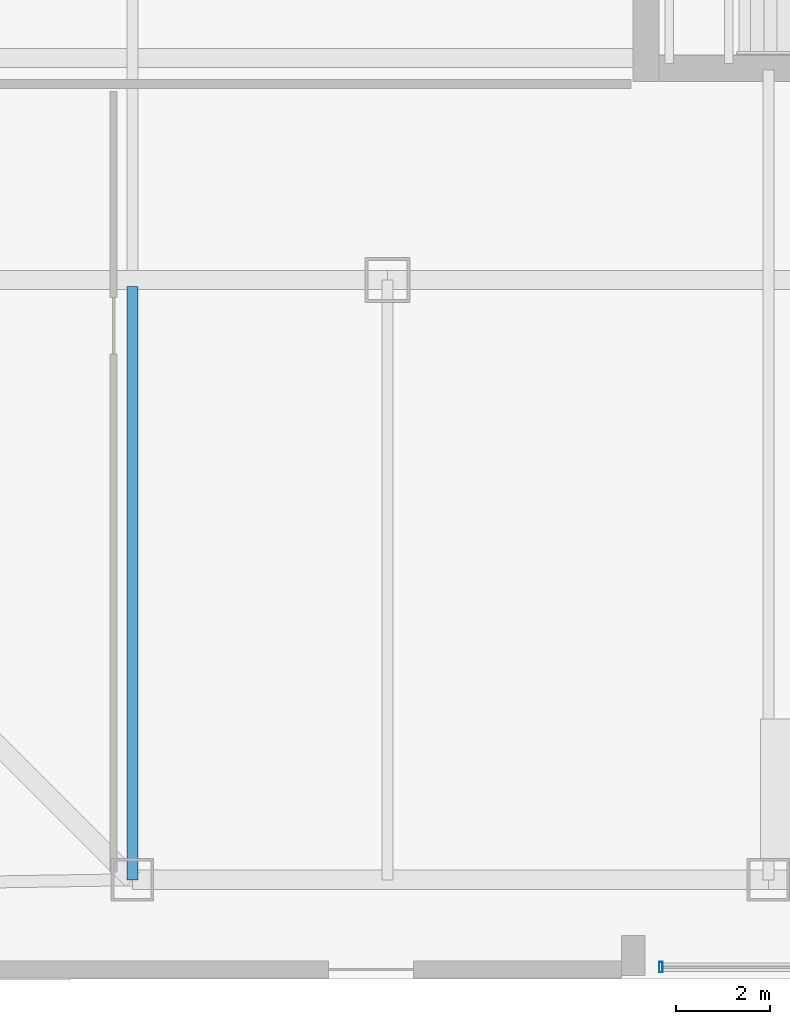
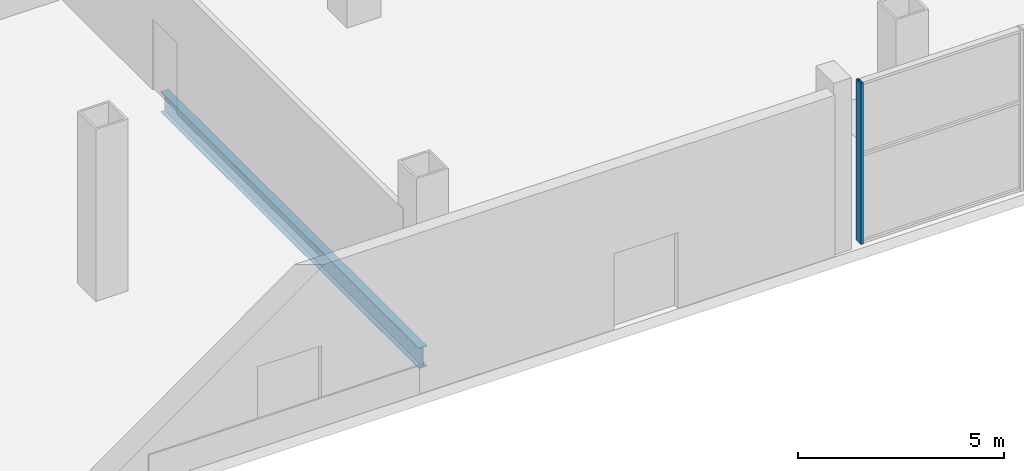
# One storey, part 2 of 21: 1 beam, 1 member, 1 element without a shape of its own.
"""IFC4 building model written with IfcOpenShell, lengths in metres."""

from ifc_helpers import new_model, si_unit, direction, frame, origin, origin_2d, place, context, subcontext, project, spatial, hollow_rectangle, i_section, extrude, material, layer, layer_set, material_profile, profile_set, type_object, element, aggregate, save


model = new_model("IFC4")

# Units and contexts
model_context = context("Model", 3, precision=1e-05, world=origin(), true_north=direction((0.0, 1.0)))
body_context = subcontext(model_context, "Body", "Model", "MODEL_VIEW")
ifc_project = project(units=[si_unit("LENGTHUNIT", "METRE"), si_unit("AREAUNIT", "SQUARE_METRE"), si_unit("VOLUMEUNIT", "CUBIC_METRE"), si_unit("PLANEANGLEUNIT", "RADIAN"), si_unit("MASSUNIT", "GRAM", prefix="KILO")], contexts=[model_context])

# Site, building, storey
site_placement = place(None, origin())
site = spatial("IfcSite", under=ifc_project, at=site_placement, CompositionType="ELEMENT")
building_placement = place(site_placement, origin())
building = spatial("IfcBuilding", under=site, at=building_placement, Name="Qhalaya Broadcast Tower", CompositionType="ELEMENT")
storey_placement = place(building_placement, origin())
storey = spatial("IfcBuildingStorey", under=building, at=storey_placement, Name="L00", CompositionType="ELEMENT", Elevation=0.0)

# Beam
ifc_material_1 = material(Name="Structural Steel ASTM A992 Grade 50", Category="steel")
ifc_material_profile_1 = material_profile(ifc_material_1, i_section(OverallWidth=0.22802734375, OverallDepth=0.60693359375, WebThickness=0.01123046875, FlangeThickness=0.017333984375, at=origin_2d()), Name="W24X76")
ifc_profile_set_1 = profile_set([ifc_material_profile_1], Name="Structural Steel ASTM A992 Grade 50")
beam_type = type_object("IfcBeamType", Name="Composite Floor Joist J01", PredefinedType="JOIST", material=ifc_profile_set_1)
beam_placement = place(storey_placement, frame((-20.199951171875, -25.89990234375, -0.62353515625), z_axis=(0.0, 1.0, 0.0), x_axis=(-1.0, 0.0, 0.0)))
element("IfcBeam", 1, at=beam_placement, inside=storey, type_object=beam_type, Name="L00 J01 L00-JS-S-20.2", PredefinedType="JOIST", context=body_context, shape_type="SweptSolid", body=[
    extrude(i_section(OverallWidth=0.22802734375, OverallDepth=0.60693359375, WebThickness=0.01123046875, FlangeThickness=0.017333984375, at=origin_2d()), origin(), (0.0, 0.0, 1.0), 12.559814453125),
])

# Curtain wall, member
ifc_material_2 = material(Name="Solar-Control Low-E Triple Glazing", Category="glass")
ifc_layer = layer(ifc_material_2, 0.219970703125, Name="Solar-Control Low-E Triple Glazing")
ifc_layer_set = layer_set([ifc_layer], Name="Solar-Control Low-E Triple Glazing")
curtain_wall_type = type_object("IfcCurtainWallType", Name="Podium Concourse Triple-Height Glazed Portal CW-01", PredefinedType="NOTDEFINED", material=ifc_layer_set)
curtain_wall_placement = place(storey_placement, origin())
curtain_wall = element("IfcCurtainWall", 2, at=curtain_wall_placement, inside=storey, type_object=curtain_wall_type, Name="L00 Unitised Curtain Wall L00-CW01-S", PredefinedType="NOTDEFINED")
ifc_material_3 = material(Name="Anodised Aluminium 6063-T6", Category="aluminium")
ifc_material_profile_2 = material_profile(ifc_material_3, hollow_rectangle(XDim=0.074951171875, YDim=0.219970703125, WallThickness=0.00390625, at=origin_2d()), Name="ALU-MUL 75x220x4")
ifc_profile_set_2 = profile_set([ifc_material_profile_2], Name="Anodised Aluminium 6063-T6")
member_type = type_object("IfcMemberType", Name="Unitised Curtain-Wall Mullion M01", PredefinedType="MULLION", material=ifc_profile_set_2)
member_placement = place(storey_placement, frame((-9.012451171875, -27.75, 0.0), z_axis=(0.0, 0.0, 1.0), x_axis=(1.0, 0.0, 0.0)))
member = element("IfcMember", 3, at=member_placement, type_object=member_type, Name="CW-01 mullion 1", PredefinedType="MULLION", context=body_context, shape_type="SweptSolid", body=[
    extrude(hollow_rectangle(XDim=0.074951171875, YDim=0.219970703125, WallThickness=0.00390625, at=origin_2d()), origin(), (0.0, 0.0, 1.0), 4.780029296875),
])
aggregate(curtain_wall, [member])

save(model, "model.ifc")
